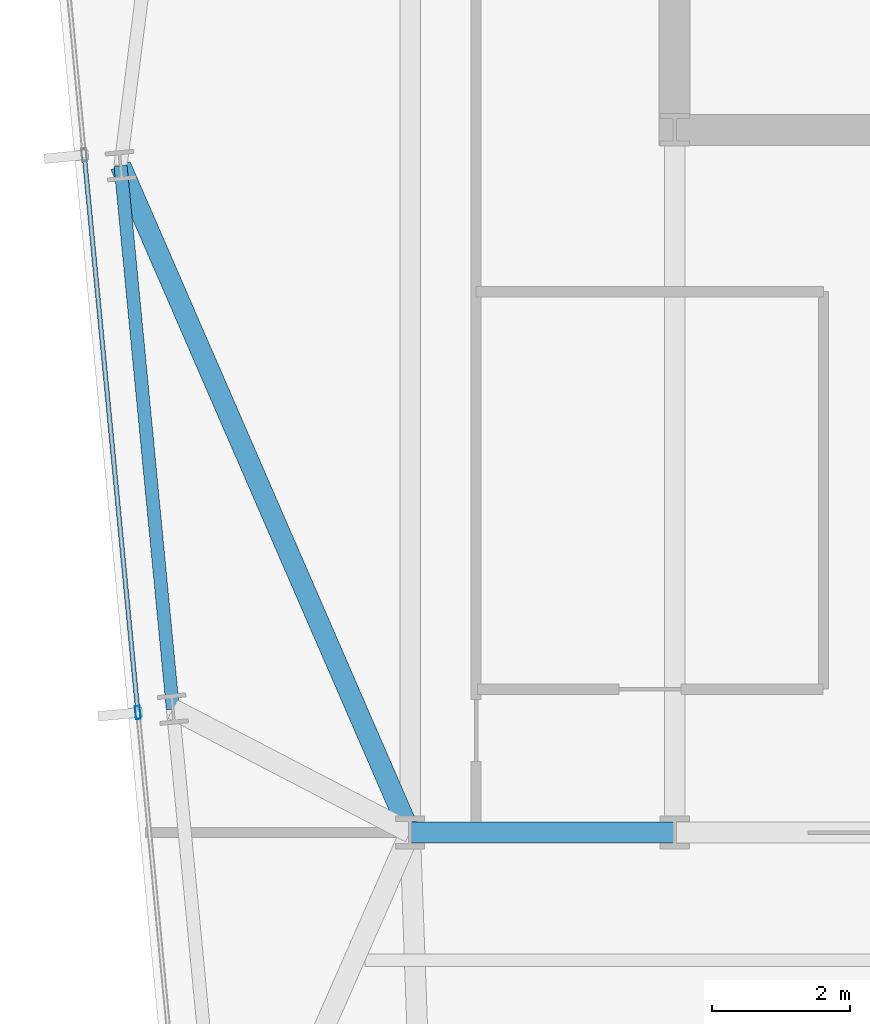
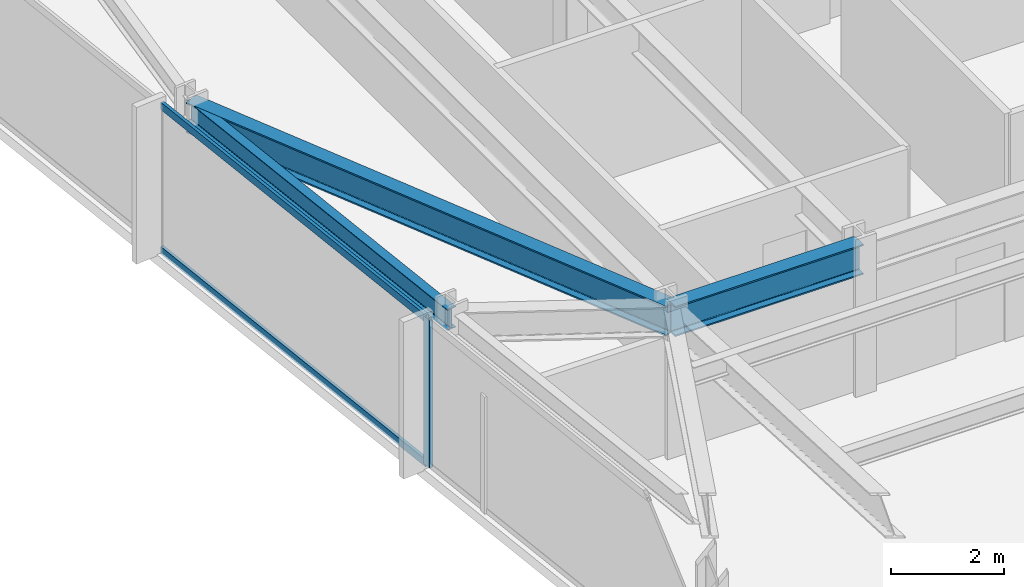
# One storey, part 6 of 32: 3 beams, 3 members, 1 element without a shape of its own.
"""IFC4 building model written with IfcOpenShell, lengths in metres."""

from ifc_helpers import new_model, si_unit, direction, frame, origin, origin_2d, place, context, subcontext, project, spatial, hollow_rectangle, i_section, extrude, material, material_profile, profile_set, type_object, element, aggregate, save


model = new_model("IFC4")

# Units and contexts
model_context = context("Model", 3, precision=1e-05, world=origin(), true_north=direction((0.0, 1.0)))
body_context = subcontext(model_context, "Body", "Model", "MODEL_VIEW")
ifc_project = project(units=[si_unit("LENGTHUNIT", "METRE"), si_unit("AREAUNIT", "SQUARE_METRE"), si_unit("VOLUMEUNIT", "CUBIC_METRE"), si_unit("PLANEANGLEUNIT", "RADIAN"), si_unit("MASSUNIT", "GRAM", prefix="KILO")], contexts=[model_context])

# Site, building, storey
site_placement = place(None, origin())
site = spatial("IfcSite", under=ifc_project, at=site_placement, CompositionType="ELEMENT")
building_placement = place(site_placement, origin())
building = spatial("IfcBuilding", under=site, at=building_placement, Name="Yelkora Congress Tower", CompositionType="ELEMENT")
storey_placement = place(building_placement, frame((0.0, 0.0, 93.10009765625)))
storey = spatial("IfcBuildingStorey", under=building, at=storey_placement, Name="L24", CompositionType="ELEMENT", Elevation=93.10009765625)

# Beams
ifc_material_1 = material(Name="Steel S355J2", Category="steel")
ifc_material_profile_1 = material_profile(ifc_material_1, i_section(OverallWidth=0.300048828125, OverallDepth=0.64990234375, WebThickness=0.01611328125, FlangeThickness=0.031005859375, FilletRadius=0.027099609375, at=origin_2d()), Name="HEB 650")
ifc_profile_set_1 = profile_set([ifc_material_profile_1], Name="Steel S355J2")
beam_type_1 = type_object("IfcBeamType", Name="BM-GIRD-HEB650", PredefinedType="BEAM", material=ifc_profile_set_1)
beam_1_placement = place(storey_placement, frame((19.199951171875, 25.199951171875, 2.85498046875), z_axis=(1.0, 0.0, 0.0), x_axis=(0.0, 1.0, 0.0)))
element("IfcBeam", 1, at=beam_1_placement, inside=storey, type_object=beam_type_1, Name="L24 Spine Grid D Girder 1", PredefinedType="BEAM", context=body_context, shape_type="SweptSolid", body=[
    extrude(i_section(OverallWidth=0.300048828125, OverallDepth=0.64990234375, WebThickness=0.01611328125, FlangeThickness=0.031005859375, FilletRadius=0.027099609375, at=origin_2d()), origin(), (0.0, 0.0, 1.0), 3.840087890625),
])
beam_2_placement = place(storey_placement, frame((14.997314453125, 34.87890625, 2.85498046875), z_axis=(0.398279362914, -0.917264165373, 0.0), x_axis=(0.917264165373, 0.398279362914, 0.0)))
element("IfcBeam", 2, at=beam_2_placement, inside=storey, type_object=beam_type_1, Name="L24 Primary Frame Girder W03", PredefinedType="BEAM", context=body_context, shape_type="SweptSolid", body=[
    extrude(i_section(OverallWidth=0.300048828125, OverallDepth=0.64990234375, WebThickness=0.01611328125, FlangeThickness=0.031005859375, FilletRadius=0.027099609375, at=origin_2d()), origin(), (0.0, 0.0, 1.0), 10.552001953125),
])
ifc_material_profile_2 = material_profile(ifc_material_1, i_section(OverallWidth=0.18994140625, OverallDepth=0.449951171875, WebThickness=0.009521484375, FlangeThickness=0.0146484375, FilletRadius=0.02099609375, at=origin_2d()), Name="IPE 450")
ifc_profile_set_2 = profile_set([ifc_material_profile_2], Name="Steel S355J2")
beam_type_2 = type_object("IfcBeamType", Name="BM-SPAN-IPE450", PredefinedType="SPANDREL", material=ifc_profile_set_2)
beam_3_placement = place(storey_placement, frame((14.997314453125, 34.87890625, 2.954833984375), z_axis=(0.095870310714, -0.995393833376, 0.0), x_axis=(0.995393833376, 0.095870310714, 0.0)))
element("IfcBeam", 3, at=beam_3_placement, inside=storey, type_object=beam_type_2, Name="L24 Perimeter Beam 19", PredefinedType="SPANDREL", context=body_context, shape_type="SweptSolid", body=[
    extrude(i_section(OverallWidth=0.18994140625, OverallDepth=0.449951171875, WebThickness=0.009521484375, FlangeThickness=0.0146484375, FilletRadius=0.02099609375, at=origin_2d()), origin(), (0.0, 0.0, 1.0), 7.925048828125),
])

# Curtain wall, members
ifc_material_2 = material(Name="Anodised aluminium and insulated glass", Category="aluminium")
curtain_wall_type = type_object("IfcCurtainWallType", Name="CW-SYS-B2", PredefinedType="NOTDEFINED", material=ifc_material_2)
curtain_wall_placement = place(storey_placement, origin())
curtain_wall = element("IfcCurtainWall", 4, at=curtain_wall_placement, inside=storey, type_object=curtain_wall_type, Name="L24 Unitised Curtain Wall 5", PredefinedType="NOTDEFINED")
ifc_material_3 = material(Name="Anodised aluminium 6063-T6", Category="aluminium")
ifc_material_profile_3 = material_profile(ifc_material_3, hollow_rectangle(XDim=0.070068359375, YDim=0.18994140625, WallThickness=0.00390625, at=origin_2d()), Name="ALU 70x190x4")
ifc_profile_set_3 = profile_set([ifc_material_profile_3], Name="Anodised aluminium 6063-T6")
member_type_1 = type_object("IfcMemberType", Name="MEM-ML-B2", PredefinedType="MULLION", material=ifc_profile_set_3)
member_1_placement = place(storey_placement, frame((15.249267578125, 26.941650390625, 0.0), z_axis=(0.0, 0.0, 1.0), x_axis=(-0.995396507508, -0.095842541913, 0.0)))
member_1 = element("IfcMember", 5, at=member_1_placement, type_object=member_type_1, Name="CW-B2 mullion 3", PredefinedType="MULLION", context=body_context, shape_type="SweptSolid", body=[
    extrude(hollow_rectangle(XDim=0.070068359375, YDim=0.18994140625, WallThickness=0.00390625, at=origin_2d()), origin(), (0.0, 0.0, 1.0), 3.179931640625),
])
ifc_material_profile_4 = material_profile(ifc_material_3, hollow_rectangle(XDim=0.06494140625, YDim=0.159912109375, WallThickness=0.00390625, at=origin_2d()), Name="ALU 65x160x4")
ifc_profile_set_4 = profile_set([ifc_material_profile_4], Name="Anodised aluminium 6063-T6")
member_type_2 = type_object("IfcMemberType", Name="MEM-TR-B2", PredefinedType="USERDEFINED", material=ifc_profile_set_4)
member_2_placement = place(storey_placement, frame((15.245849609375, 26.976318359375, 0.032470703125), z_axis=(-0.095838228465, 0.995396922823, 0.0), x_axis=(-0.995396922823, -0.095838228465, 0.0)))
member_2 = element("IfcMember", 6, at=member_2_placement, type_object=member_type_2, Name="CW-B2 transom 3.1", ObjectType="TRANSOM", PredefinedType="USERDEFINED", context=body_context, shape_type="SweptSolid", body=[
    extrude(hollow_rectangle(XDim=0.06494140625, YDim=0.159912109375, WallThickness=0.00390625, at=origin_2d()), origin(), (0.0, 0.0, 1.0), 8.06005859375),
])
member_3_placement = place(storey_placement, frame((15.245849609375, 26.976318359375, 3.1474609375), z_axis=(-0.095838228465, 0.995396922823, 0.0), x_axis=(-0.995396922823, -0.095838228465, 0.0)))
member_3 = element("IfcMember", 7, at=member_3_placement, type_object=member_type_2, Name="CW-B2 transom 3.2", ObjectType="TRANSOM", PredefinedType="USERDEFINED", context=body_context, shape_type="SweptSolid", body=[
    extrude(hollow_rectangle(XDim=0.06494140625, YDim=0.159912109375, WallThickness=0.00390625, at=origin_2d()), origin(), (0.0, 0.0, 1.0), 8.06005859375),
])
aggregate(curtain_wall, [member_1, member_2, member_3])

save(model, "model.ifc")
